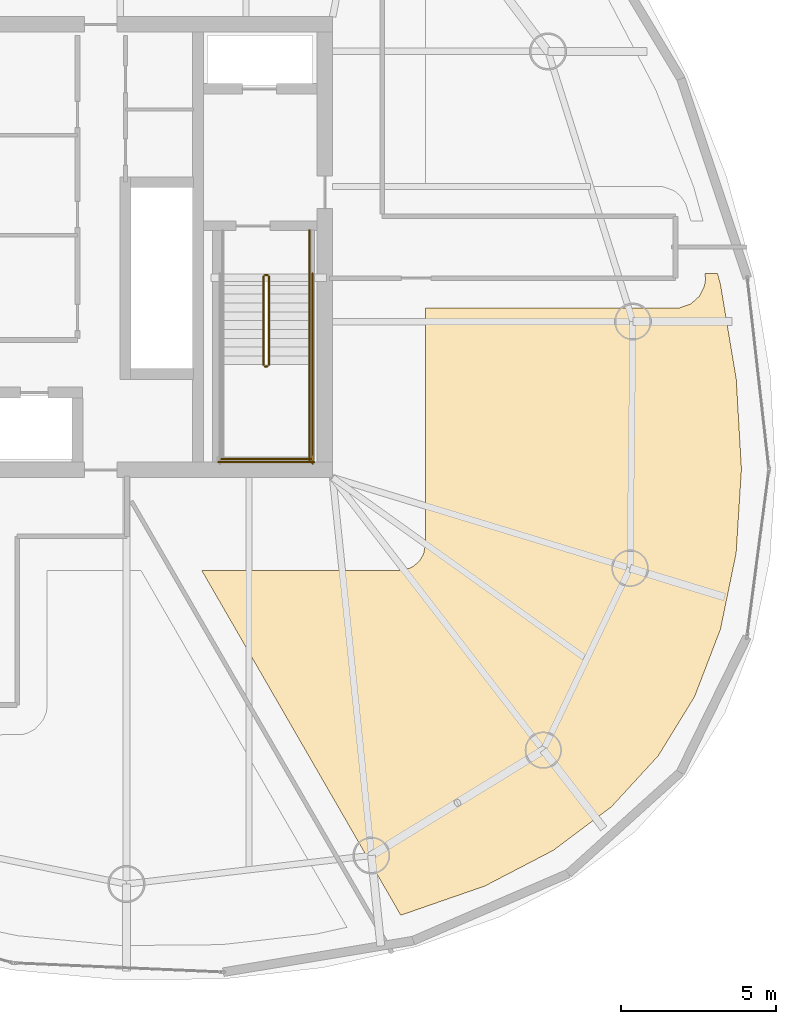
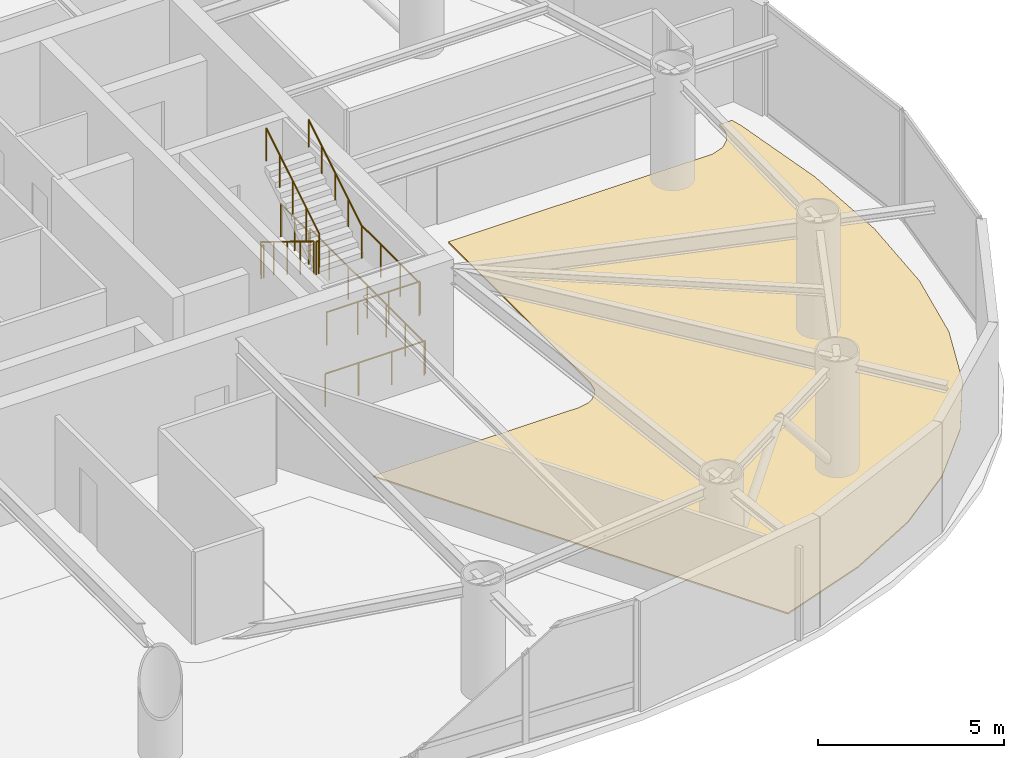
# One storey, part 19 of 20: 10 railings, 1 covering.
"""IFC4 building model written with IfcOpenShell, lengths in metres."""

from ifc_helpers import new_model, si_unit, direction, frame, origin, origin_2d, place, context, subcontext, project, spatial, polyline, circle, outline, extrude, material, layer, layer_set, type_object, element, save


model = new_model("IFC4")

# Units and contexts
model_context = context("Model", 3, precision=1e-05, world=origin(), true_north=direction((0.0, 1.0)))
body_context = subcontext(model_context, "Body", "Model", "MODEL_VIEW")
ifc_project = project(units=[si_unit("LENGTHUNIT", "METRE"), si_unit("AREAUNIT", "SQUARE_METRE"), si_unit("VOLUMEUNIT", "CUBIC_METRE"), si_unit("PLANEANGLEUNIT", "RADIAN"), si_unit("MASSUNIT", "GRAM", prefix="KILO")], contexts=[model_context])

# Site, building, storey
site_placement = place(None, origin())
site = spatial("IfcSite", under=ifc_project, at=site_placement, CompositionType="ELEMENT")
building_placement = place(site_placement, origin())
building = spatial("IfcBuilding", under=site, at=building_placement, Name="Bramvorn Convention Spire", CompositionType="ELEMENT")
storey_placement = place(building_placement, frame((0.0, 0.0, 178.89990234375)))
storey = spatial("IfcBuildingStorey", under=building, at=storey_placement, Name="L45", CompositionType="ELEMENT", Elevation=178.89990234375)

# Covering
ifc_material_1 = material(Name="Calcium-Sulphate Raised Access Office Floor", Category="steel")
ifc_layer = layer(ifc_material_1, 0.044921875)
ifc_layer_set = layer_set([ifc_layer], Name="Calcium-Sulphate Raised Access Office Floor - FLR-RAISED-45")
covering_type = type_object("IfcCoveringType", Name="FLR-RAISED-45", PredefinedType="FLOORING", material=ifc_layer_set)
covering_placement = place(storey_placement, origin())
element("IfcCovering", 1, at=covering_placement, inside=storey, type_object=covering_type, Name="L45 Staff Kitchenette 6 raised floor finish", PredefinedType="FLOORING", context=body_context, shape_type="SweptSolid", body=[
    extrude(outline(polyline([(56.39208984375, 6.505615234375), (58.26220703125, 7.909912109375), (59.77734375, 9.559814453125), (60.94921875, 11.468994140625), (61.787109375, 13.65234375), (62.293212890625, 16.110595703125), (62.464599609375, 18.82275390625), (62.296142578125, 21.744384765625), (61.78271484375, 24.812744140625), (61.68994140625, 25.14990234375), (61.288330078125, 25.14990234375), (61.298828125, 24.937744140625), (61.268798828125, 24.752685546875), (61.10595703125, 24.4169921875), (60.828369140625, 24.16748046875), (60.465576171875, 24.03955078125), (52.25, 24.030029296875), (52.25, 16.39990234375), (52.185302734375, 16.07470703125), (52.05712890625, 15.86083984375), (51.872314453125, 15.693359375), (51.725341796875, 15.61474609375), (51.39990234375, 15.550048828125), (45.014892578125, 15.550048828125), (51.450439453125, 4.4033203125), (54.166259765625, 5.345458984375), (56.39208984375, 6.505615234375)])), origin(), (0.0, 0.0, 1.0), 0.045166015625),
])

# Railings
ifc_material_2 = material(Name="Painted Steel Balustrade & Guardrail", Category="steel")
railing_type_1 = type_object("IfcRailingType", Name="RL-STAIR-GUARD-1100", PredefinedType="GUARDRAIL", material=ifc_material_2)
railing_1_placement = place(storey_placement, frame((47.010009765625, 25.050048828125, 0.175048828125)))
element("IfcRailing", 2, at=railing_1_placement, inside=storey, type_object=railing_type_1, Name="L45 ST2 stair guard 1", PredefinedType="GUARDRAIL", context=body_context, shape_type="SweptSolid", body=[
    extrude(circle(Radius=0.02392578125, at=origin_2d()), frame((0.0, 0.0, 1.076171875), z_axis=(0.0, -0.852179220489, 0.52325001306), x_axis=(1.0, 0.0, 0.0)), (0.0, 0.0, 1.0), 3.344482421875),
    extrude(circle(Radius=0.02099609375, at=origin_2d()), origin(), (0.0, 0.0, 1.0), 1.052001953125),
    extrude(circle(Radius=0.02099609375, at=origin_2d()), frame((0.0, -0.71240234375, 0.4375)), (0.0, 0.0, 1.0), 1.052001953125),
    extrude(circle(Radius=0.02099609375, at=origin_2d()), frame((0.0, -1.425048828125, 0.875)), (0.0, 0.0, 1.0), 1.052001953125),
    extrude(circle(Radius=0.02099609375, at=origin_2d()), frame((0.0, -2.1376953125, 1.3125)), (0.0, 0.0, 1.0), 1.052001953125),
    extrude(circle(Radius=0.02099609375, at=origin_2d()), frame((0.0, -2.85009765625, 1.75)), (0.0, 0.0, 1.0), 1.052001953125),
])
railing_2_placement = place(storey_placement, frame((47.06005859375, 22.14990234375, 1.925048828125)))
element("IfcRailing", 3, at=railing_2_placement, inside=storey, type_object=railing_type_1, Name="L45 ST2 stair guard 2", PredefinedType="GUARDRAIL", context=body_context, shape_type="SweptSolid", body=[
    extrude(circle(Radius=0.02392578125, at=origin_2d()), frame((0.0, 0.0, 1.076171875), z_axis=(1.0, 0.0, 0.0), x_axis=(0.0, 1.0, 0.0)), (0.0, 0.0, 1.0), 0.079833984375),
    extrude(circle(Radius=0.02099609375, at=origin_2d()), origin(), (0.0, 0.0, 1.0), 1.052001953125),
    extrude(circle(Radius=0.02099609375, at=origin_2d()), frame((0.079833984375, 0.0, 0.0)), (0.0, 0.0, 1.0), 1.052001953125),
])
railing_3_placement = place(storey_placement, frame((48.5, 22.199951171875, 1.925048828125)))
element("IfcRailing", 4, at=railing_3_placement, inside=storey, type_object=railing_type_1, Name="L45 ST2 stair guard 4", PredefinedType="GUARDRAIL", context=body_context, shape_type="SweptSolid", body=[
    extrude(circle(Radius=0.02392578125, at=origin_2d()), frame((0.0, 0.0, 1.076171875), z_axis=(0.0, -1.0, 0.0), x_axis=(1.0, 0.0, 0.0)), (0.0, 0.0, 1.0), 3.099853515625),
    extrude(circle(Radius=0.02099609375, at=origin_2d()), origin(), (0.0, 0.0, 1.0), 1.052001953125),
    extrude(circle(Radius=0.02099609375, at=origin_2d()), frame((0.0, -1.033203125, 0.0)), (0.0, 0.0, 1.0), 1.052001953125),
    extrude(circle(Radius=0.02099609375, at=origin_2d()), frame((0.0, -2.066650390625, 0.0)), (0.0, 0.0, 1.0), 1.052001953125),
    extrude(circle(Radius=0.02099609375, at=origin_2d()), frame((0.0, -3.099853515625, 0.0)), (0.0, 0.0, 1.0), 1.052001953125),
])
railing_4_placement = place(storey_placement, frame((45.64990234375, 19.14990234375, 1.925048828125)))
element("IfcRailing", 5, at=railing_4_placement, inside=storey, type_object=railing_type_1, Name="L45 ST2 stair guard 5", PredefinedType="GUARDRAIL", context=body_context, shape_type="SweptSolid", body=[
    extrude(circle(Radius=0.02392578125, at=origin_2d()), frame((0.0, 0.0, 1.076171875), z_axis=(1.0, 0.0, 0.0), x_axis=(0.0, 1.0, 0.0)), (0.0, 0.0, 1.0), 2.900146484375),
    extrude(circle(Radius=0.02099609375, at=origin_2d()), origin(), (0.0, 0.0, 1.0), 1.052001953125),
    extrude(circle(Radius=0.02099609375, at=origin_2d()), frame((0.966796875, 0.0, 0.0)), (0.0, 0.0, 1.0), 1.052001953125),
    extrude(circle(Radius=0.02099609375, at=origin_2d()), frame((1.933349609375, 0.0, 0.0)), (0.0, 0.0, 1.0), 1.052001953125),
    extrude(circle(Radius=0.02099609375, at=origin_2d()), frame((2.900146484375, 0.0, 0.0)), (0.0, 0.0, 1.0), 1.052001953125),
])
railing_5_placement = place(storey_placement, frame((47.18994140625, 22.199951171875, 2.10009765625)))
element("IfcRailing", 6, at=railing_5_placement, inside=storey, type_object=railing_type_1, Name="L45 ST2 stair guard 6", PredefinedType="GUARDRAIL", context=body_context, shape_type="SweptSolid", body=[
    extrude(circle(Radius=0.02392578125, at=origin_2d()), frame((0.0, 0.0, 1.076171875), z_axis=(0.0, 0.852179220489, 0.52325001306), x_axis=(-1.0, 0.0, 0.0)), (0.0, 0.0, 1.0), 3.344482421875),
    extrude(circle(Radius=0.02099609375, at=origin_2d()), origin(), (0.0, 0.0, 1.0), 1.052001953125),
    extrude(circle(Radius=0.02099609375, at=origin_2d()), frame((0.0, 0.71240234375, 0.4375)), (0.0, 0.0, 1.0), 1.052001953125),
    extrude(circle(Radius=0.02099609375, at=origin_2d()), frame((0.0, 1.425048828125, 0.875)), (0.0, 0.0, 1.0), 1.052001953125),
    extrude(circle(Radius=0.02099609375, at=origin_2d()), frame((0.0, 2.1376953125, 1.3125)), (0.0, 0.0, 1.0), 1.052001953125),
    extrude(circle(Radius=0.02099609375, at=origin_2d()), frame((0.0, 2.85009765625, 1.75)), (0.0, 0.0, 1.0), 1.052001953125),
])
railing_6_placement = place(storey_placement, frame((47.06005859375, 25.10009765625, 0.0)))
element("IfcRailing", 7, at=railing_6_placement, inside=storey, type_object=railing_type_1, Name="L45 ST2 stair guard 7", PredefinedType="GUARDRAIL", context=body_context, shape_type="SweptSolid", body=[
    extrude(circle(Radius=0.02392578125, at=origin_2d()), frame((0.0, 0.0, 1.076171875), z_axis=(1.0, 0.0, 0.0), x_axis=(0.0, 1.0, 0.0)), (0.0, 0.0, 1.0), 0.079833984375),
    extrude(circle(Radius=0.02099609375, at=origin_2d()), origin(), (0.0, 0.0, 1.0), 1.052001953125),
    extrude(circle(Radius=0.02099609375, at=origin_2d()), frame((0.079833984375, 0.0, 0.0)), (0.0, 0.0, 1.0), 1.052001953125),
])
railing_7_placement = place(storey_placement, frame((48.5, 26.550048828125, 0.0)))
element("IfcRailing", 8, at=railing_7_placement, inside=storey, type_object=railing_type_1, Name="L45 ST2 stair guard 9", PredefinedType="GUARDRAIL", context=body_context, shape_type="SweptSolid", body=[
    extrude(circle(Radius=0.02392578125, at=origin_2d()), frame((0.0, 0.0, 1.076171875), z_axis=(0.0, -1.0, 0.0), x_axis=(1.0, 0.0, 0.0)), (0.0, 0.0, 1.0), 1.5),
    extrude(circle(Radius=0.02099609375, at=origin_2d()), origin(), (0.0, 0.0, 1.0), 1.052001953125),
    extrude(circle(Radius=0.02099609375, at=origin_2d()), frame((0.0, -0.75, 0.0)), (0.0, 0.0, 1.0), 1.052001953125),
    extrude(circle(Radius=0.02099609375, at=origin_2d()), frame((0.0, -1.5, 0.0)), (0.0, 0.0, 1.0), 1.052001953125),
])
railing_8_placement = place(storey_placement, frame((48.60009765625, 25.14990234375, 0.0)))
element("IfcRailing", 9, at=railing_8_placement, inside=storey, type_object=railing_type_1, Name="L45 ST2 stair guard 11", PredefinedType="GUARDRAIL", context=body_context, shape_type="SweptSolid", body=[
    extrude(circle(Radius=0.02392578125, at=origin_2d()), frame((0.0, 0.0, 1.076171875), z_axis=(0.0, -1.0, 0.0), x_axis=(1.0, 0.0, 0.0)), (0.0, 0.0, 1.0), 6.14990234375),
    extrude(circle(Radius=0.02099609375, at=origin_2d()), origin(), (0.0, 0.0, 1.0), 1.052001953125),
    extrude(circle(Radius=0.02099609375, at=origin_2d()), frame((0.0, -1.02490234375, 0.0)), (0.0, 0.0, 1.0), 1.052001953125),
    extrude(circle(Radius=0.02099609375, at=origin_2d()), frame((0.0, -2.050048828125, 0.0)), (0.0, 0.0, 1.0), 1.052001953125),
    extrude(circle(Radius=0.02099609375, at=origin_2d()), frame((0.0, -3.074951171875, 0.0)), (0.0, 0.0, 1.0), 1.052001953125),
    extrude(circle(Radius=0.02099609375, at=origin_2d()), frame((0.0, -4.099853515625, 0.0)), (0.0, 0.0, 1.0), 1.052001953125),
    extrude(circle(Radius=0.02099609375, at=origin_2d()), frame((0.0, -5.125, 0.0)), (0.0, 0.0, 1.0), 1.052001953125),
    extrude(circle(Radius=0.02099609375, at=origin_2d()), frame((0.0, -6.14990234375, 0.0)), (0.0, 0.0, 1.0), 1.052001953125),
])
railing_9_placement = place(storey_placement, frame((45.550048828125, 19.050048828125, 0.0)))
element("IfcRailing", 10, at=railing_9_placement, inside=storey, type_object=railing_type_1, Name="L45 ST2 stair guard 12", PredefinedType="GUARDRAIL", context=body_context, shape_type="SweptSolid", body=[
    extrude(circle(Radius=0.02392578125, at=origin_2d()), frame((0.0, 0.0, 1.076171875), z_axis=(1.0, 0.0, 0.0), x_axis=(0.0, 1.0, 0.0)), (0.0, 0.0, 1.0), 3.099853515625),
    extrude(circle(Radius=0.02099609375, at=origin_2d()), origin(), (0.0, 0.0, 1.0), 1.052001953125),
    extrude(circle(Radius=0.02099609375, at=origin_2d()), frame((1.033203125, 0.0, 0.0)), (0.0, 0.0, 1.0), 1.052001953125),
    extrude(circle(Radius=0.02099609375, at=origin_2d()), frame((2.066650390625, 0.0, 0.0)), (0.0, 0.0, 1.0), 1.052001953125),
    extrude(circle(Radius=0.02099609375, at=origin_2d()), frame((3.099853515625, 0.0, 0.0)), (0.0, 0.0, 1.0), 1.052001953125),
])
ifc_material_3 = material(Name="Brushed Bronze Tubular Handrail", Category="aluminium")
railing_type_2 = type_object("IfcRailingType", Name="RL-STAIR-HR-920", PredefinedType="HANDRAIL", material=ifc_material_3)
railing_10_placement = place(storey_placement, frame((48.5, 22.199951171875, 2.10009765625)))
element("IfcRailing", 11, at=railing_10_placement, inside=storey, type_object=railing_type_2, Name="L45 ST2 stair handrail 2", PredefinedType="HANDRAIL", context=body_context, shape_type="SweptSolid", body=[
    extrude(circle(Radius=0.02392578125, at=origin_2d()), frame((0.0, 0.0, 0.89599609375), z_axis=(0.0, 0.852179220489, 0.52325001306), x_axis=(-1.0, 0.0, 0.0)), (0.0, 0.0, 1.0), 3.344482421875),
    extrude(circle(Radius=0.02099609375, at=origin_2d()), origin(), (0.0, 0.0, 1.0), 0.871826171875),
    extrude(circle(Radius=0.02099609375, at=origin_2d()), frame((0.0, 0.71240234375, 0.4375)), (0.0, 0.0, 1.0), 0.871826171875),
    extrude(circle(Radius=0.02099609375, at=origin_2d()), frame((0.0, 1.425048828125, 0.875)), (0.0, 0.0, 1.0), 0.871826171875),
    extrude(circle(Radius=0.02099609375, at=origin_2d()), frame((0.0, 2.1376953125, 1.3125)), (0.0, 0.0, 1.0), 0.871826171875),
    extrude(circle(Radius=0.02099609375, at=origin_2d()), frame((0.0, 2.85009765625, 1.75)), (0.0, 0.0, 1.0), 0.871826171875),
])

save(model, "model.ifc")
